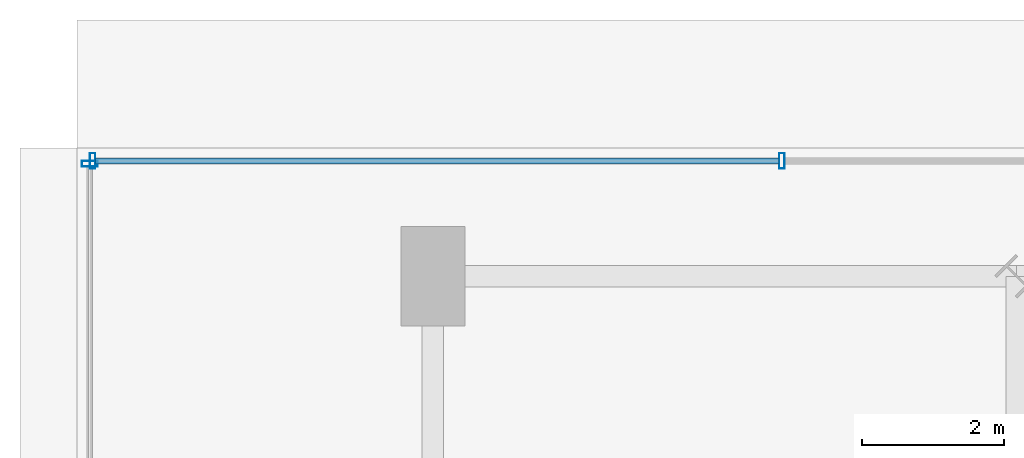
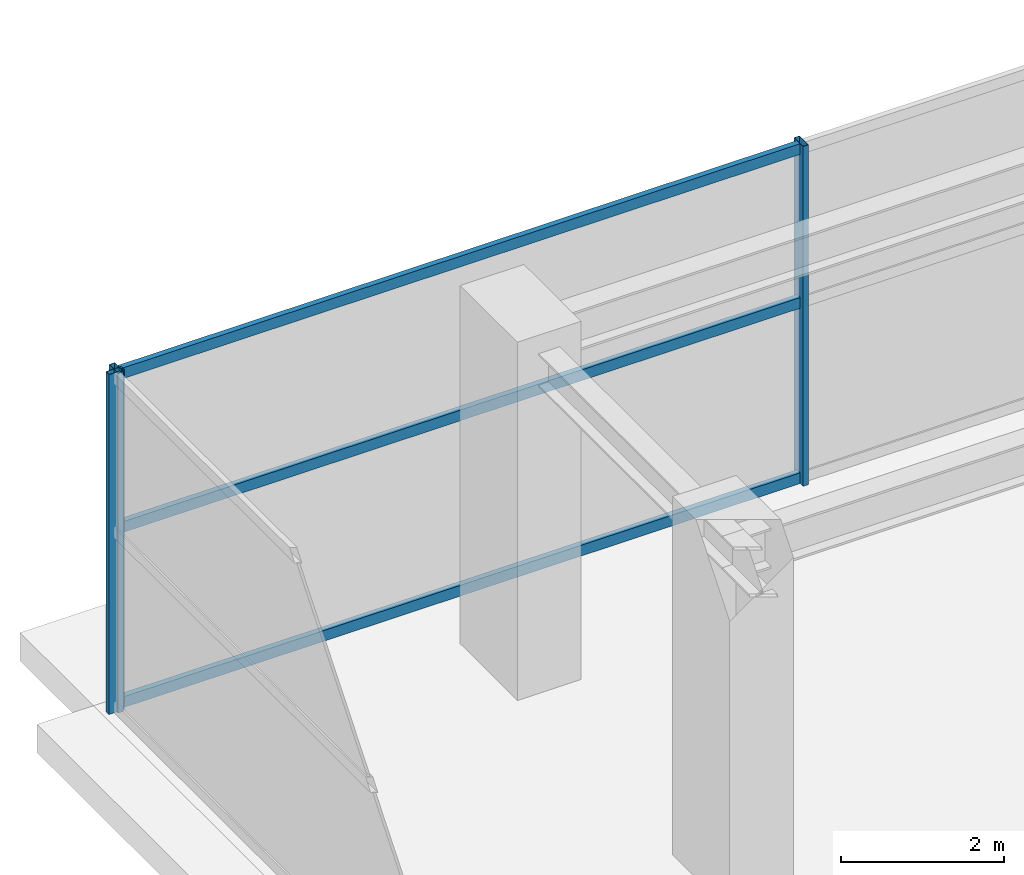
# One storey, part 13 of 29: 6 members, 2 elements without a shape of their own.
"""IFC4 building model written with IfcOpenShell, lengths in metres."""

from ifc_helpers import new_model, si_unit, direction, frame, origin, origin_2d, place, context, subcontext, project, spatial, hollow_rectangle, extrude, source, transform, mapped, material, material_profile, profile_set, type_object, element, aggregate, save


model = new_model("IFC4")

# Units and contexts
model_context = context("Model", 3, precision=1e-05, world=origin(), true_north=direction((0.0, 1.0)))
body_context = subcontext(model_context, "Body", "Model", "MODEL_VIEW")
ifc_project = project(units=[si_unit("LENGTHUNIT", "METRE"), si_unit("AREAUNIT", "SQUARE_METRE"), si_unit("VOLUMEUNIT", "CUBIC_METRE"), si_unit("PLANEANGLEUNIT", "RADIAN"), si_unit("MASSUNIT", "GRAM", prefix="KILO")], contexts=[model_context])

# Site, building, storey
site_placement = place(None, origin())
site = spatial("IfcSite", under=ifc_project, at=site_placement, CompositionType="ELEMENT")
building_placement = place(site_placement, origin())
building = spatial("IfcBuilding", under=site, at=building_placement, Name="Nahalor Promenade Grand Hotel", CompositionType="ELEMENT")
storey_placement = place(building_placement, origin())
storey = spatial("IfcBuildingStorey", under=building, at=storey_placement, Name="L00", CompositionType="ELEMENT", Elevation=0.0)

# Curtain wall, members
ifc_material = material(Name="Anodised Bronze Aluminium EN AW-6063 T6", Category="aluminium")
curtain_wall_type = type_object("IfcCurtainWallType", Name="CW1 Waterfront Podium Bronze Arcade Curtain Wall", PredefinedType="USERDEFINED", material=ifc_material)
curtain_wall_1_placement = place(storey_placement, origin())
curtain_wall_1 = element("IfcCurtainWall", 1, at=curtain_wall_1_placement, inside=storey, type_object=curtain_wall_type, Name="L00 Curtain Wall CW-L00-N-MID", ObjectType="UNITISED_CURTAIN_WALL", PredefinedType="USERDEFINED")
ifc_material_profile_1 = material_profile(ifc_material, hollow_rectangle(XDim=0.08, YDim=0.22, WallThickness=0.005, at=origin_2d()), Name="CWM 80x220x5")
ifc_profile_set_1 = profile_set([ifc_material_profile_1], Name="Anodised Bronze Aluminium EN AW-6063 T6")
member_type_1 = type_object("IfcMemberType", Name="CWM1 Podium Bronze Mullion 80x220", PredefinedType="MULLION", material=ifc_profile_set_1)
shared_shape_1 = source(origin(), body_context, "Body", "SweptSolid", [
    extrude(hollow_rectangle(XDim=0.08, YDim=0.22, WallThickness=0.005, at=origin_2d()), origin(), (0.0, 0.0, 1.0), 5.080078125),
])
member_1_placement = place(storey_placement, frame((-37.780029296875, 23.820068359375, 0.0), z_axis=(0.0, 0.0, 1.0), x_axis=(1.0, 0.0, 0.0)))
member_1 = element("IfcMember", 2, at=member_1_placement, type_object=member_type_1, Name="CW-L00-N-MID Mullion 0", PredefinedType="MULLION", context=body_context, shape_type="MappedRepresentation", body=[
    mapped(shared_shape_1, transform((0.0, 0.0, 0.0), scale=1.0)),
])
member_2_placement = place(storey_placement, frame((-28.095947265625, 23.820068359375, 0.0), z_axis=(0.0, 0.0, 1.0), x_axis=(1.0, 0.0, 0.0)))
member_2 = element("IfcMember", 3, at=member_2_placement, type_object=member_type_1, Name="CW-L00-N-MID Mullion 1", PredefinedType="MULLION", context=body_context, shape_type="MappedRepresentation", body=[
    mapped(shared_shape_1, transform((0.0, 0.0, 0.0), scale=1.0)),
])

# Curtain wall, member
curtain_wall_2_placement = place(storey_placement, origin())
curtain_wall_2 = element("IfcCurtainWall", 4, at=curtain_wall_2_placement, inside=storey, type_object=curtain_wall_type, Name="L00 Curtain Wall CW-L00-W-N", ObjectType="UNITISED_CURTAIN_WALL", PredefinedType="USERDEFINED")
member_3_placement = place(storey_placement, frame((-37.820068359375, 23.780029296875, 0.0), z_axis=(0.0, 0.0, 1.0), x_axis=(0.0, 1.0, 0.0)))
member_3 = element("IfcMember", 5, at=member_3_placement, type_object=member_type_1, Name="CW-L00-W-N Mullion 1", PredefinedType="MULLION", context=body_context, shape_type="MappedRepresentation", body=[
    mapped(shared_shape_1, transform((0.0, 0.0, 0.0), scale=1.0)),
])
aggregate(curtain_wall_2, [member_3])

# Member
ifc_material_profile_2 = material_profile(ifc_material, hollow_rectangle(XDim=0.08, YDim=0.16, WallThickness=0.004, at=origin_2d()), Name="CWT 80x160x4")
ifc_profile_set_2 = profile_set([ifc_material_profile_2], Name="Anodised Bronze Aluminium EN AW-6063 T6")
member_type_2 = type_object("IfcMemberType", Name="CWT1 Podium Bronze Transom 80x160", PredefinedType="USERDEFINED", material=ifc_profile_set_2)
shared_shape_2 = source(origin(), body_context, "Body", "SweptSolid", [
    extrude(hollow_rectangle(XDim=0.08, YDim=0.16, WallThickness=0.004, at=origin_2d()), origin(), (0.0, 0.0, 1.0), 9.60400390625),
])
member_4_placement = place(storey_placement, frame((-37.739990234375, 23.820068359375, 0.080078125), z_axis=(1.0, 0.0, 0.0), x_axis=(0.0, 1.0, 0.0)))
member_4 = element("IfcMember", 6, at=member_4_placement, type_object=member_type_2, Name="CW-L00-N-MID Transom 0-0", ObjectType="TRANSOM", PredefinedType="USERDEFINED", context=body_context, shape_type="MappedRepresentation", body=[
    mapped(shared_shape_2, transform((0.0, 0.0, 0.0), scale=1.0)),
])

member_5_placement = place(storey_placement, frame((-37.739990234375, 23.820068359375, 2.699951171875), z_axis=(1.0, 0.0, 0.0), x_axis=(0.0, 1.0, 0.0)))
member_5 = element("IfcMember", 7, at=member_5_placement, type_object=member_type_2, Name="CW-L00-N-MID Transom 0-1", ObjectType="TRANSOM", PredefinedType="USERDEFINED", context=body_context, shape_type="MappedRepresentation", body=[
    mapped(shared_shape_2, transform((0.0, 0.0, 0.0), scale=1.0)),
])

member_6_placement = place(storey_placement, frame((-37.739990234375, 23.820068359375, 5.0), z_axis=(1.0, 0.0, 0.0), x_axis=(0.0, 1.0, 0.0)))
member_6 = element("IfcMember", 8, at=member_6_placement, type_object=member_type_2, Name="CW-L00-N-MID Transom 0-2", ObjectType="TRANSOM", PredefinedType="USERDEFINED", context=body_context, shape_type="MappedRepresentation", body=[
    mapped(shared_shape_2, transform((0.0, 0.0, 0.0), scale=1.0)),
])

aggregate(curtain_wall_1, [member_1, member_2, member_4, member_5, member_6])

save(model, "model.ifc")
